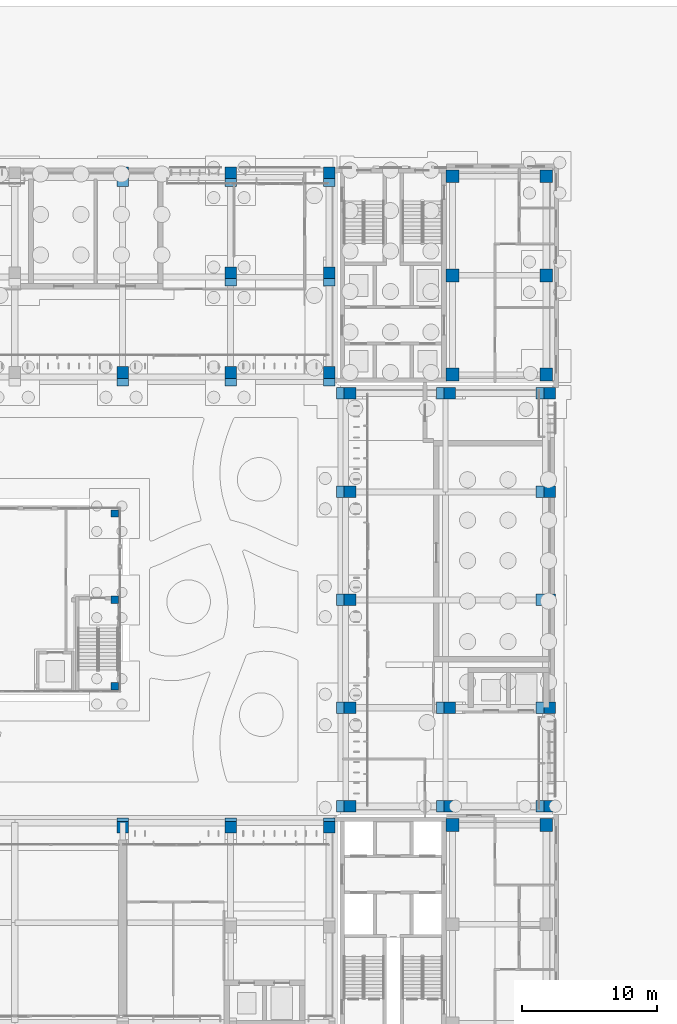
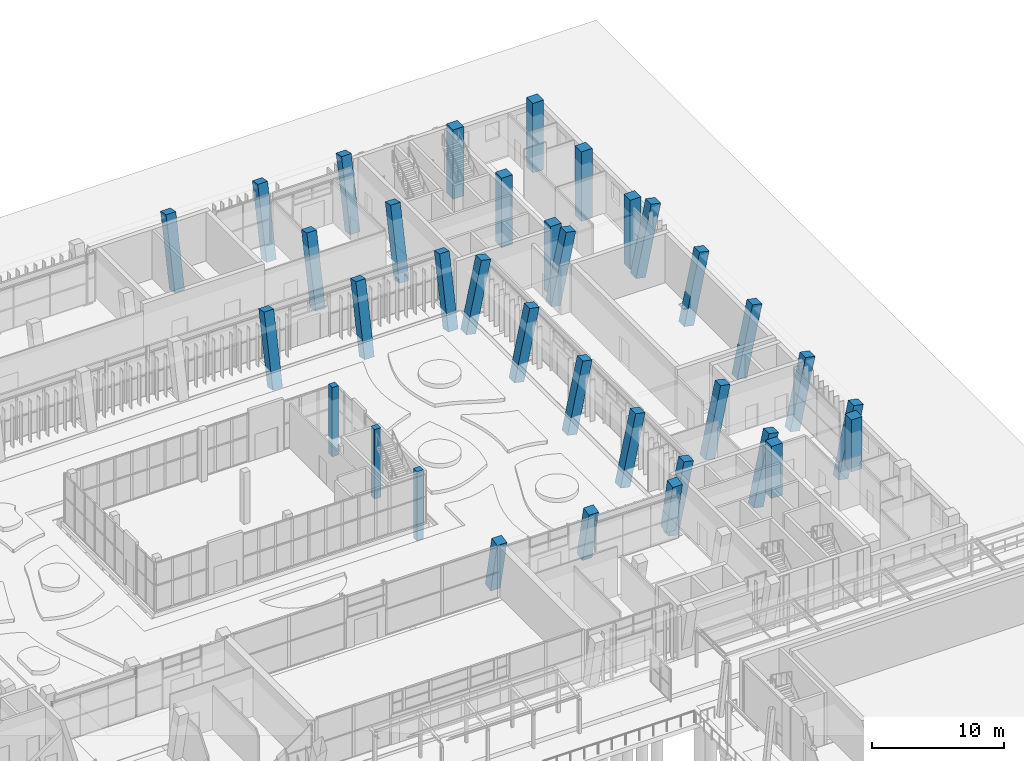
# One storey, part 24 of 144: 35 columns.
"""IFC4 building model written with IfcOpenShell, lengths in metres."""

from ifc_helpers import new_model, si_unit, direction, frame, origin, origin_2d, place, context, subcontext, project, spatial, rectangle, extrude, material, material_profile, profile_set, type_object, element, save


model = new_model("IFC4")

# Units and contexts
model_context = context("Model", 3, precision=1e-05, world=origin(), true_north=direction((0.0, 1.0)))
body_context = subcontext(model_context, "Body", "Model", "MODEL_VIEW")
ifc_project = project(units=[si_unit("LENGTHUNIT", "METRE"), si_unit("AREAUNIT", "SQUARE_METRE"), si_unit("VOLUMEUNIT", "CUBIC_METRE"), si_unit("PLANEANGLEUNIT", "RADIAN"), si_unit("MASSUNIT", "GRAM", prefix="KILO")], contexts=[model_context])

# Site, building, storey
site_placement = place(None, origin())
site = spatial("IfcSite", under=ifc_project, at=site_placement, CompositionType="ELEMENT")
building_placement = place(site_placement, origin())
building = spatial("IfcBuilding", under=site, at=building_placement, Name="Lantern Court Media Centre", CompositionType="ELEMENT")
storey_placement = place(building_placement, origin())
storey = spatial("IfcBuildingStorey", under=building, at=storey_placement, Name="L00", CompositionType="ELEMENT", Elevation=0.0)

# Columns
ifc_material = material(Name="Concrete C35", Category="concrete")
ifc_material_profile_1 = material_profile(ifc_material, rectangle(XDim=0.550048828125, YDim=0.550048828125, at=origin_2d()), Name="RC 550x550")
ifc_profile_set_1 = profile_set([ifc_material_profile_1], Name="Concrete C35")
column_type_1 = type_object("IfcColumnType", Name="RC COLUMN 550x550", PredefinedType="COLUMN", material=ifc_profile_set_1)
for number, where, z_axis, x_axis, name in (
    (1, (63.39990234375, 73.60009765625, -1.60009765625), (0.0, 0.0, 1.0), (1.0, 0.0, 0.0), "C-PRESS-20-L00"),
    (2, (63.39990234375, 80.0, -1.60009765625), (0.0, 0.0, 1.0), (1.0, 0.0, 0.0), "C-PRESS-21-L00"),
    (3, (63.39990234375, 86.39990234375, -1.60009765625), (0.0, 0.0, 1.0), (1.0, 0.0, 0.0), "C-PRESS-22-L00"),
):
    element("IfcColumn", number, at=place(storey_placement, frame(where, z_axis=z_axis, x_axis=x_axis)), inside=storey, type_object=column_type_1, Name=name, PredefinedType="COLUMN", context=body_context, shape_type="SweptSolid", body=[
        extrude(rectangle(XDim=0.550048828125, YDim=0.550048828125, at=origin_2d()), origin(), (0.0, 0.0, 1.0), 6.400146484375),
    ])
ifc_material_profile_2 = material_profile(ifc_material, rectangle(XDim=0.85009765625, YDim=0.85009765625, at=origin_2d()), Name="RC 850x850")
ifc_profile_set_2 = profile_set([ifc_material_profile_2], Name="Concrete C35")
column_type_2 = type_object("IfcColumnType", Name="RC COLUMN 850x850", PredefinedType="COLUMN", material=ifc_profile_set_2)
for number, where, z_axis, x_axis, name in (
    (4, (64.0, 63.39990234375, 0.0), (0.0, -0.203952265704, 0.978980833987), (1.0, 0.0, 0.0), "C-S-2-5-L00"),
    (5, (72.0, 63.39990234375, 0.0), (0.0, -0.203952265704, 0.978980833987), (1.0, 0.0, 0.0), "C-S-2-6-L00"),
    (6, (79.300048828125, 63.39990234375, 0.0), (0.0, -0.203952265704, 0.978980833987), (1.0, 0.0, 0.0), "C-S-2-7-L00"),
):
    element("IfcColumn", number, at=place(storey_placement, frame(where, z_axis=z_axis, x_axis=x_axis)), inside=storey, type_object=column_type_2, Name=name, PredefinedType="COLUMN", context=body_context, shape_type="SweptSolid", body=[
        extrude(rectangle(XDim=0.85009765625, YDim=0.85009765625, at=origin_2d()), origin(), (0.0, 0.0, 1.0), 4.903076171875),
    ])
for number, where, z_axis, x_axis, name in (
    (7, (64.0, 96.2666015625, -1.60009765625), (0.0, 0.203973640709, 0.978976380663), (-1.0, 0.0, 0.0), "C-N-0-5-L00"),
    (8, (72.0, 96.2666015625, -1.60009765625), (0.0, 0.203973640709, 0.978976380663), (-1.0, 0.0, 0.0), "C-N-0-6-L00"),
    (9, (79.300048828125, 96.2666015625, -1.60009765625), (0.0, 0.203973640709, 0.978976380663), (-1.0, 0.0, 0.0), "C-N-0-7-L00"),
    (10, (72.0, 103.666748046875, -1.60009765625), (0.0, 0.203937849881, 0.978983837142), (-1.0, 0.0, 0.0), "C-N-1-6-L00"),
    (11, (79.300048828125, 103.666748046875, -1.60009765625), (0.0, 0.203937849881, 0.978983837142), (-1.0, 0.0, 0.0), "C-N-1-7-L00"),
    (12, (64.0, 111.066650390625, -1.60009765625), (0.0, 0.203937849881, 0.978983837142), (-1.0, 0.0, 0.0), "C-N-2-5-L00"),
    (13, (72.0, 111.066650390625, -1.60009765625), (0.0, 0.203937849881, 0.978983837142), (-1.0, 0.0, 0.0), "C-N-2-6-L00"),
    (14, (79.300048828125, 111.066650390625, -1.60009765625), (0.0, 0.203937849881, 0.978983837142), (-1.0, 0.0, 0.0), "C-N-2-7-L00"),
    (15, (80.2666015625, 64.699951171875, -1.60009765625), (0.203973640709, 0.0, 0.978976380663), (0.0, 1.0, 0.0), "C-E-0-0-L00"),
    (16, (80.2666015625, 72.0, -1.60009765625), (0.203973640709, 0.0, 0.978976380663), (0.0, 1.0, 0.0), "C-E-0-1-L00"),
    (17, (80.2666015625, 80.0, -1.60009765625), (0.203973640709, 0.0, 0.978976380663), (0.0, 1.0, 0.0), "C-E-0-2-L00"),
    (18, (80.2666015625, 88.0, -1.60009765625), (0.203973640709, 0.0, 0.978976380663), (0.0, 1.0, 0.0), "C-E-0-3-L00"),
    (19, (80.2666015625, 95.300048828125, -1.60009765625), (0.203973640709, 0.0, 0.978976380663), (0.0, 1.0, 0.0), "C-E-0-4-L00"),
    (20, (87.666748046875, 64.699951171875, -1.60009765625), (0.203937849881, 0.0, 0.978983837142), (0.0, 1.0, 0.0), "C-E-1-0-L00"),
    (21, (87.666748046875, 72.0, -1.60009765625), (0.203937849881, 0.0, 0.978983837142), (0.0, 1.0, 0.0), "C-E-1-1-L00"),
    (22, (87.666748046875, 95.300048828125, -1.60009765625), (0.203937849881, 0.0, 0.978983837142), (0.0, 1.0, 0.0), "C-E-1-4-L00"),
    (23, (95.066650390625, 64.699951171875, -1.60009765625), (0.203937849881, 0.0, 0.978983837142), (0.0, 1.0, 0.0), "C-E-2-0-L00"),
    (24, (95.066650390625, 72.0, -1.60009765625), (0.203937849881, 0.0, 0.978983837142), (0.0, 1.0, 0.0), "C-E-2-1-L00"),
    (25, (95.066650390625, 80.0, -1.60009765625), (0.203937849881, 0.0, 0.978983837142), (0.0, 1.0, 0.0), "C-E-2-2-L00"),
    (26, (95.066650390625, 88.0, -1.60009765625), (0.203937849881, 0.0, 0.978983837142), (0.0, 1.0, 0.0), "C-E-2-3-L00"),
    (27, (95.066650390625, 95.300048828125, -1.60009765625), (0.203937849881, 0.0, 0.978983837142), (0.0, 1.0, 0.0), "C-E-2-4-L00"),
):
    element("IfcColumn", number, at=place(storey_placement, frame(where, z_axis=z_axis, x_axis=x_axis)), inside=storey, type_object=column_type_2, Name=name, PredefinedType="COLUMN", context=body_context, shape_type="SweptSolid", body=[
        extrude(rectangle(XDim=0.85009765625, YDim=0.85009765625, at=origin_2d()), origin(), (0.0, 0.0, 1.0), 6.53759765625),
    ])
ifc_material_profile_3 = material_profile(ifc_material, rectangle(XDim=0.949951171875, YDim=0.949951171875, at=origin_2d()), Name="RC 950x950")
ifc_profile_set_3 = profile_set([ifc_material_profile_3], Name="Concrete C35")
column_type_3 = type_object("IfcColumnType", Name="RC COLUMN 950x950", PredefinedType="COLUMN", material=ifc_profile_set_3)
for number, where, z_axis, x_axis, name in (
    (28, (88.449951171875, 63.300048828125, 0.0), (0.0, 0.0, 1.0), (1.0, 0.0, 0.0), "C-SE-2-L00"),
    (29, (95.39990234375, 63.300048828125, 0.0), (0.0, 0.0, 1.0), (1.0, 0.0, 0.0), "C-SE-5-L00"),
):
    element("IfcColumn", number, at=place(storey_placement, frame(where, z_axis=z_axis, x_axis=x_axis)), inside=storey, type_object=column_type_3, Name=name, PredefinedType="COLUMN", context=body_context, shape_type="SweptSolid", body=[
        extrude(rectangle(XDim=0.949951171875, YDim=0.949951171875, at=origin_2d()), origin(), (0.0, 0.0, 1.0), 4.800048828125),
    ])
for number, where, z_axis, x_axis, name in (
    (30, (88.449951171875, 96.699951171875, -1.60009765625), (0.0, 0.0, 1.0), (1.0, 0.0, 0.0), "C-NE-0-L00"),
    (31, (88.449951171875, 104.050048828125, -1.60009765625), (0.0, 0.0, 1.0), (1.0, 0.0, 0.0), "C-NE-1-L00"),
    (32, (88.449951171875, 111.39990234375, -1.60009765625), (0.0, 0.0, 1.0), (1.0, 0.0, 0.0), "C-NE-2-L00"),
    (33, (95.39990234375, 96.699951171875, -1.60009765625), (0.0, 0.0, 1.0), (1.0, 0.0, 0.0), "C-NE-3-L00"),
    (34, (95.39990234375, 104.050048828125, -1.60009765625), (0.0, 0.0, 1.0), (1.0, 0.0, 0.0), "C-NE-4-L00"),
    (35, (95.39990234375, 111.39990234375, -1.60009765625), (0.0, 0.0, 1.0), (1.0, 0.0, 0.0), "C-NE-5-L00"),
):
    element("IfcColumn", number, at=place(storey_placement, frame(where, z_axis=z_axis, x_axis=x_axis)), inside=storey, type_object=column_type_3, Name=name, PredefinedType="COLUMN", context=body_context, shape_type="SweptSolid", body=[
        extrude(rectangle(XDim=0.949951171875, YDim=0.949951171875, at=origin_2d()), origin(), (0.0, 0.0, 1.0), 6.400146484375),
    ])

save(model, "model.ifc")
